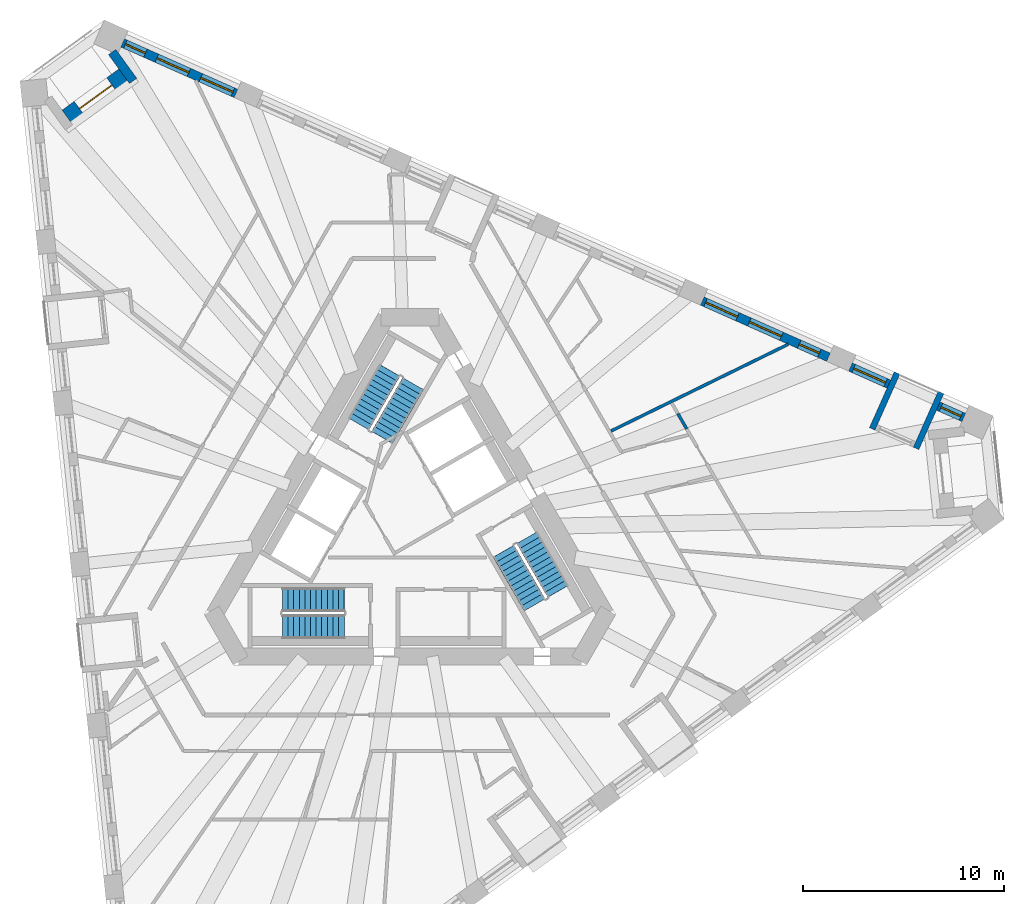
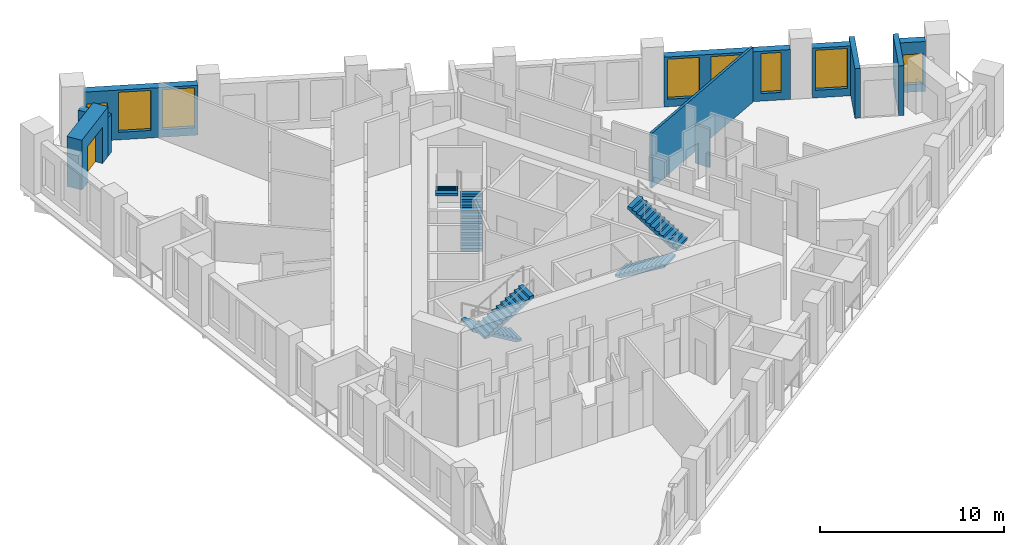
# One storey, part 9 of 14: 10 walls, 8 windows, 6 stair flights, 1 door, 9 openings, 3 elements without a shape of their own.
"""IFC4 building model written with IfcOpenShell, lengths in metres."""

from ifc_helpers import new_model, si_unit, direction, frame, frame_2d, origin, place, context, subcontext, project, spatial, polyline, rectangle, outline, extrude, material, layer, layer_set, type_object, element, fill, aggregate, save


model = new_model("IFC4")

# Units and contexts
model_context = context("Model", 3, precision=1e-05, world=origin(), true_north=direction((0.0, 1.0)))
body_context = subcontext(model_context, "Body", "Model", "MODEL_VIEW")
ifc_project = project(units=[si_unit("LENGTHUNIT", "METRE"), si_unit("AREAUNIT", "SQUARE_METRE"), si_unit("VOLUMEUNIT", "CUBIC_METRE"), si_unit("PLANEANGLEUNIT", "RADIAN"), si_unit("MASSUNIT", "GRAM", prefix="KILO")], contexts=[model_context])

# Site, building, storey
site_placement = place(None, origin())
site = spatial("IfcSite", under=ifc_project, at=site_placement, CompositionType="ELEMENT")
building_placement = place(site_placement, origin())
building = spatial("IfcBuilding", under=site, at=building_placement, Name="Tramontana Tower", CompositionType="ELEMENT")
storey_placement = place(building_placement, frame((0.0, 0.0, 178.800048828125)))
storey = spatial("IfcBuildingStorey", under=building, at=storey_placement, Name="L41", CompositionType="ELEMENT", Elevation=178.800048828125)

# Wall, opening, window
ifc_material_1 = material(Name="Precast concrete 60 MPa", Category="concrete")
ifc_layer_1 = layer(ifc_material_1, 0.449951171875)
ifc_layer_set_1 = layer_set([ifc_layer_1], Name="Precast concrete 60 MPa, 450 mm")
wall_type_1 = type_object("IfcWallType", Name="EW1 Stone-faced precast wall 450", PredefinedType="SOLIDWALL", material=ifc_layer_set_1)
wall_1_placement = place(storey_placement, frame((27.604736328125, 5.57958984375, 0.0), z_axis=(0.0, 0.0, 1.0), x_axis=(-0.913558681389, 0.406706940756, 0.0)))
wall_1 = element("IfcWall", 1, at=wall_1_placement, inside=storey, type_object=wall_type_1, Name="External wall L41 face 2 bay 1", PredefinedType="SOLIDWALL", context=body_context, shape_type="SweptSolid", body=[
    extrude(rectangle(XDim=1.39453125, YDim=0.449951171875, at=frame_2d((0.697265625, 0.0))), origin(), (0.0, 0.0, 1.0), 3.300048828125),
])
opening_1_placement = place(wall_1_placement, frame((0.147216796875, 0.0, 0.5)))
opening_1 = element("IfcOpeningElement", 2, at=opening_1_placement, cuts=wall_1, Name="Opening N2L", PredefinedType="OPENING", context=body_context, shape_type="SweptSolid", body=[
    extrude(rectangle(XDim=1.10009765625, YDim=2.0, at=frame_2d((0.550048828125, 1.0))), frame((0.0, 0.23486328125, 0.0), z_axis=(0.0, -1.0, 0.0), x_axis=(1.0, 0.0, 0.0)), (0.0, 0.0, 1.0), 0.469970703125),
])
ifc_material_2 = material(Name="Aluminum frame, double glazing unit", Category="aluminium")
window_type_1 = type_object("IfcWindowType", Name="N2L Window 1.1 x 2", PartitioningType="SINGLE_PANEL", PredefinedType="WINDOW", material=ifc_material_2)
window_1_placement = place(opening_1_placement, origin())
window_1 = element("IfcWindow", 3, at=window_1_placement, inside=storey, type_object=window_type_1, Name="Window N2L L41 face 2 module 1", OverallHeight=2.0, OverallWidth=1.10009765625, PartitioningType="SINGLE_PANEL", PredefinedType="WINDOW", context=body_context, shape_type="SweptSolid", body=[
    extrude(rectangle(XDim=1.10009765625, YDim=2.0, at=frame_2d((0.550048828125, 1.0))), frame((0.0, 0.030029296875, 0.0), z_axis=(0.0, -1.0, 0.0), x_axis=(1.0, 0.0, 0.0)), (0.0, 0.0, 1.0), 0.06005859375),
])
fill(opening_1, window_1)

wall_2_placement = place(storey_placement, frame((23.86962890625, 7.242431640625, 0.0), z_axis=(0.0, 0.0, 1.0), x_axis=(-0.913513282906, 0.406808901026, 0.0)))
wall_2 = element("IfcWall", 4, at=wall_2_placement, inside=storey, type_object=wall_type_1, Name="External wall L41 face 2 bay 1", PredefinedType="SOLIDWALL", context=body_context, shape_type="SweptSolid", body=[
    extrude(rectangle(XDim=2.094482421875, YDim=0.449951171875, at=frame_2d((1.04736328125, 0.0))), origin(), (0.0, 0.0, 1.0), 3.300048828125),
])
opening_2_placement = place(wall_2_placement, frame((0.172119140625, 0.0, 0.5)))
opening_2 = element("IfcOpeningElement", 5, at=opening_2_placement, cuts=wall_2, Name="Opening M2", PredefinedType="OPENING", context=body_context, shape_type="SweptSolid", body=[
    extrude(rectangle(XDim=1.75, YDim=2.64990234375, at=frame_2d((0.875, 1.324951171875))), frame((0.0, 0.23486328125, 0.0), z_axis=(0.0, -1.0, 0.0), x_axis=(1.0, 0.0, 0.0)), (0.0, 0.0, 1.0), 0.469970703125),
])
ifc_material_3 = material(Name="Aluminum frame, double glazing unit", Category="aluminium")
window_type_2 = type_object("IfcWindowType", Name="M2 Window 1.75 x 2.65", PartitioningType="SINGLE_PANEL", PredefinedType="WINDOW", material=ifc_material_3)
window_2_placement = place(opening_2_placement, origin())
window_2 = element("IfcWindow", 6, at=window_2_placement, inside=storey, type_object=window_type_2, Name="Window M2 L41 face 2 module 3", OverallHeight=2.64990234375, OverallWidth=1.75, PartitioningType="SINGLE_PANEL", PredefinedType="WINDOW", context=body_context, shape_type="SweptSolid", body=[
    extrude(rectangle(XDim=1.75, YDim=2.64990234375, at=frame_2d((0.875, 1.324951171875))), frame((0.0, 0.030029296875, 0.0), z_axis=(0.0, -1.0, 0.0), x_axis=(1.0, 0.0, 0.0)), (0.0, 0.0, 1.0), 0.06005859375),
])
fill(opening_2, window_2)

# Wall, openings, windows
wall_3_placement = place(storey_placement, frame((20.860107421875, 8.58251953125, 0.0), z_axis=(0.0, 0.0, 1.0), x_axis=(-0.913543675585, 0.40674064562, 0.0)))
wall_3 = element("IfcWall", 7, at=wall_3_placement, inside=storey, type_object=wall_type_1, Name="External wall L41 face 2 bay 2", PredefinedType="SOLIDWALL", context=body_context, shape_type="SweptSolid", body=[
    extrude(rectangle(XDim=6.8828125, YDim=0.449951171875, at=frame_2d((3.44140625, 0.0))), origin(), (0.0, 0.0, 1.0), 3.300048828125),
])
opening_3_placement = place(wall_3_placement, frame((0.4970703125, 0.0, 0.5)))
opening_3 = element("IfcOpeningElement", 8, at=opening_3_placement, cuts=wall_3, Name="Opening N2", PredefinedType="OPENING", context=body_context, shape_type="SweptSolid", body=[
    extrude(rectangle(XDim=1.10009765625, YDim=2.64990234375, at=frame_2d((0.550048828125, 1.324951171875))), frame((0.0, 0.23486328125, 0.0), z_axis=(0.0, -1.0, 0.0), x_axis=(1.0, 0.0, 0.0)), (0.0, 0.0, 1.0), 0.469970703125),
])
opening_4_placement = place(wall_3_placement, frame((2.56640625, 0.0, 0.5)))
opening_4 = element("IfcOpeningElement", 9, at=opening_4_placement, cuts=wall_3, Name="Opening M2", PredefinedType="OPENING", context=body_context, shape_type="SweptSolid", body=[
    extrude(rectangle(XDim=1.75, YDim=2.64990234375, at=frame_2d((0.875, 1.324951171875))), frame((0.0, 0.23486328125, 0.0), z_axis=(0.0, -1.0, 0.0), x_axis=(1.0, 0.0, 0.0)), (0.0, 0.0, 1.0), 0.469970703125),
])
opening_5_placement = place(wall_3_placement, frame((4.960693359375, 0.0, 0.5)))
opening_5 = element("IfcOpeningElement", 10, at=opening_5_placement, cuts=wall_3, Name="Opening M2", PredefinedType="OPENING", context=body_context, shape_type="SweptSolid", body=[
    extrude(rectangle(XDim=1.75, YDim=2.64990234375, at=frame_2d((0.875, 1.324951171875))), frame((0.0, 0.23486328125, 0.0), z_axis=(0.0, -1.0, 0.0), x_axis=(1.0, 0.0, 0.0)), (0.0, 0.0, 1.0), 0.469970703125),
])
window_3_placement = place(opening_4_placement, origin())
window_3 = element("IfcWindow", 11, at=window_3_placement, inside=storey, type_object=window_type_2, Name="Window M2 L41 face 2 module 5", OverallHeight=2.64990234375, OverallWidth=1.75, PartitioningType="SINGLE_PANEL", PredefinedType="WINDOW", context=body_context, shape_type="SweptSolid", body=[
    extrude(rectangle(XDim=1.75, YDim=2.64990234375, at=frame_2d((0.875, 1.324951171875))), frame((0.0, 0.030029296875, 0.0), z_axis=(0.0, -1.0, 0.0), x_axis=(1.0, 0.0, 0.0)), (0.0, 0.0, 1.0), 0.06005859375),
])
fill(opening_4, window_3)
window_4_placement = place(opening_5_placement, origin())
window_4 = element("IfcWindow", 12, at=window_4_placement, inside=storey, type_object=window_type_2, Name="Window M2 L41 face 2 module 6", OverallHeight=2.64990234375, OverallWidth=1.75, PartitioningType="SINGLE_PANEL", PredefinedType="WINDOW", context=body_context, shape_type="SweptSolid", body=[
    extrude(rectangle(XDim=1.75, YDim=2.64990234375, at=frame_2d((0.875, 1.324951171875))), frame((0.0, 0.030029296875, 0.0), z_axis=(0.0, -1.0, 0.0), x_axis=(1.0, 0.0, 0.0)), (0.0, 0.0, 1.0), 0.06005859375),
])
fill(opening_5, window_4)
ifc_material_4 = material(Name="Aluminum frame, double glazing unit", Category="aluminium")
window_type_3 = type_object("IfcWindowType", Name="N2 Window 1.1 x 2.65", PartitioningType="SINGLE_PANEL", PredefinedType="WINDOW", material=ifc_material_4)
window_5_placement = place(opening_3_placement, origin())
window_5 = element("IfcWindow", 13, at=window_5_placement, inside=storey, type_object=window_type_3, Name="Window N2 L41 face 2 module 4", OverallHeight=2.64990234375, OverallWidth=1.10009765625, PartitioningType="SINGLE_PANEL", PredefinedType="WINDOW", context=body_context, shape_type="SweptSolid", body=[
    extrude(rectangle(XDim=1.10009765625, YDim=2.64990234375, at=frame_2d((0.550048828125, 1.324951171875))), frame((0.0, 0.030029296875, 0.0), z_axis=(0.0, -1.0, 0.0), x_axis=(1.0, 0.0, 0.0)), (0.0, 0.0, 1.0), 0.06005859375),
])
fill(opening_3, window_5)

wall_4_placement = place(storey_placement, frame((-8.67626953125, 21.73291015625, 0.0), z_axis=(0.0, 0.0, 1.0), x_axis=(-0.913542682641, 0.406742875773, 0.0)))
wall_4 = element("IfcWall", 14, at=wall_4_placement, inside=storey, type_object=wall_type_1, Name="External wall L41 face 2 bay 6", PredefinedType="SOLIDWALL", context=body_context, shape_type="SweptSolid", body=[
    extrude(rectangle(XDim=6.18310546875, YDim=0.449951171875, at=frame_2d((3.091552734375, 0.0))), origin(), (0.0, 0.0, 1.0), 3.300048828125),
])
opening_6_placement = place(wall_4_placement, frame((0.172119140625, 0.0, 0.5)))
opening_6 = element("IfcOpeningElement", 15, at=opening_6_placement, cuts=wall_4, Name="Opening M2", PredefinedType="OPENING", context=body_context, shape_type="SweptSolid", body=[
    extrude(rectangle(XDim=1.75, YDim=2.64990234375, at=frame_2d((0.875, 1.324951171875))), frame((0.0, 0.23486328125, 0.0), z_axis=(0.0, -1.0, 0.0), x_axis=(1.0, 0.0, 0.0)), (0.0, 0.0, 1.0), 0.469970703125),
])
opening_7_placement = place(wall_4_placement, frame((2.56640625, 0.0, 0.5)))
opening_7 = element("IfcOpeningElement", 16, at=opening_7_placement, cuts=wall_4, Name="Opening M2", PredefinedType="OPENING", context=body_context, shape_type="SweptSolid", body=[
    extrude(rectangle(XDim=1.75, YDim=2.64990234375, at=frame_2d((0.875, 1.324951171875))), frame((0.0, 0.23486328125, 0.0), z_axis=(0.0, -1.0, 0.0), x_axis=(1.0, 0.0, 0.0)), (0.0, 0.0, 1.0), 0.469970703125),
])
opening_8_placement = place(wall_4_placement, frame((4.935791015625, 0.0, 0.5)))
opening_8 = element("IfcOpeningElement", 17, at=opening_8_placement, cuts=wall_4, Name="Opening N2L", PredefinedType="OPENING", context=body_context, shape_type="SweptSolid", body=[
    extrude(rectangle(XDim=1.10009765625, YDim=2.0, at=frame_2d((0.550048828125, 1.0))), frame((0.0, 0.23486328125, 0.0), z_axis=(0.0, -1.0, 0.0), x_axis=(1.0, 0.0, 0.0)), (0.0, 0.0, 1.0), 0.469970703125),
])
window_6_placement = place(opening_6_placement, origin())
window_6 = element("IfcWindow", 18, at=window_6_placement, inside=storey, type_object=window_type_2, Name="Window M2 L41 face 2 module 16", OverallHeight=2.64990234375, OverallWidth=1.75, PartitioningType="SINGLE_PANEL", PredefinedType="WINDOW", context=body_context, shape_type="SweptSolid", body=[
    extrude(rectangle(XDim=1.75, YDim=2.64990234375, at=frame_2d((0.875, 1.324951171875))), frame((0.0, 0.030029296875, 0.0), z_axis=(0.0, -1.0, 0.0), x_axis=(1.0, 0.0, 0.0)), (0.0, 0.0, 1.0), 0.06005859375),
])
fill(opening_6, window_6)
window_7_placement = place(opening_7_placement, origin())
window_7 = element("IfcWindow", 19, at=window_7_placement, inside=storey, type_object=window_type_2, Name="Window M2 L41 face 2 module 17", OverallHeight=2.64990234375, OverallWidth=1.75, PartitioningType="SINGLE_PANEL", PredefinedType="WINDOW", context=body_context, shape_type="SweptSolid", body=[
    extrude(rectangle(XDim=1.75, YDim=2.64990234375, at=frame_2d((0.875, 1.324951171875))), frame((0.0, 0.030029296875, 0.0), z_axis=(0.0, -1.0, 0.0), x_axis=(1.0, 0.0, 0.0)), (0.0, 0.0, 1.0), 0.06005859375),
])
fill(opening_7, window_7)
window_8_placement = place(opening_8_placement, origin())
window_8 = element("IfcWindow", 20, at=window_8_placement, inside=storey, type_object=window_type_1, Name="Window N2L L41 face 2 module 18", OverallHeight=2.0, OverallWidth=1.10009765625, PartitioningType="SINGLE_PANEL", PredefinedType="WINDOW", context=body_context, shape_type="SweptSolid", body=[
    extrude(rectangle(XDim=1.10009765625, YDim=2.0, at=frame_2d((0.550048828125, 1.0))), frame((0.0, 0.030029296875, 0.0), z_axis=(0.0, -1.0, 0.0), x_axis=(1.0, 0.0, 0.0)), (0.0, 0.0, 1.0), 0.06005859375),
])
fill(opening_8, window_8)

# Wall
wall_5_placement = place(storey_placement, frame((-14.847900390625, 23.796630859375, 0.0), z_axis=(0.0, 0.0, 1.0), x_axis=(0.587722853316, -0.809062326209, 0.0)))
element("IfcWall", 21, at=wall_5_placement, inside=storey, type_object=wall_type_1, Name="Corner loggia side wall L41 K40r", PredefinedType="SOLIDWALL", context=body_context, shape_type="SweptSolid", body=[
    extrude(rectangle(XDim=1.779052734375, YDim=0.449951171875, at=frame_2d((0.8896484375, 0.0))), origin(), (0.0, 0.0, 1.0), 2.550048828125),
])

# Wall, opening, door
ifc_material_5 = material(Name="Precast concrete 60 MPa", Category="concrete")
ifc_layer_2 = layer(ifc_material_5, 0.89990234375)
ifc_layer_set_2 = layer_set([ifc_layer_2], Name="EW2 Stone-faced corner loggia wall 900")
wall_type_2 = type_object("IfcWallType", Name="EW2 Stone-faced corner loggia wall 900", PredefinedType="SOLIDWALL", material=ifc_layer_set_2)
wall_6_placement = place(storey_placement, frame((-17.080322265625, 20.53173828125, 0.0), z_axis=(0.0, 0.0, 1.0), x_axis=(0.809031597325, 0.587765152531, 0.0)))
wall_6 = element("IfcWall", 22, at=wall_6_placement, inside=storey, type_object=wall_type_2, Name="Corner loggia wall L41 K40", PredefinedType="SOLIDWALL", context=body_context, shape_type="SweptSolid", body=[
    extrude(rectangle(XDim=3.5, YDim=0.89990234375, at=frame_2d((1.75, 0.0))), origin(), (0.0, 0.0, 1.0), 3.300048828125),
])
opening_9_placement = place(wall_6_placement, frame((0.75, 0.0, 0.0)))
opening_9 = element("IfcOpeningElement", 23, at=opening_9_placement, cuts=wall_6, Name="Opening BD-40C", PredefinedType="OPENING", context=body_context, shape_type="SweptSolid", body=[
    extrude(rectangle(XDim=2.0, YDim=2.39990234375, at=frame_2d((1.0, 1.199951171875))), frame((0.0, 0.4599609375, 0.0), z_axis=(0.0, -1.0, 0.0), x_axis=(1.0, 0.0, 0.0)), (0.0, 0.0, 1.0), 0.919921875),
])
ifc_material_6 = material(Name="Aluminum frame, double glazing unit", Category="aluminium")
door_type = type_object("IfcDoorType", Name="BC1 Sliding door 2 x 2.4", OperationType="SLIDING_TO_LEFT", PredefinedType="DOOR", material=ifc_material_6)
door_placement = place(opening_9_placement, origin())
door = element("IfcDoor", 24, at=door_placement, inside=storey, type_object=door_type, Name="Corner loggia door L41 K40", OperationType="SLIDING_TO_LEFT", OverallHeight=2.39990234375, OverallWidth=2.0, PredefinedType="DOOR", context=body_context, shape_type="SweptSolid", body=[
    extrude(rectangle(XDim=2.0, YDim=2.39990234375, at=frame_2d((1.0, 1.199951171875))), frame((0.0, 0.02490234375, 0.0), z_axis=(0.0, -1.0, 0.0), x_axis=(1.0, 0.0, 0.0)), (0.0, 0.0, 1.0), 0.050048828125),
])
fill(opening_9, door)

# Walls
ifc_material_7 = material(Name="Precast concrete 60 MPa", Category="concrete")
ifc_layer_3 = layer(ifc_material_7, 0.300048828125)
ifc_layer_set_3 = layer_set([ifc_layer_3], Name="LW1 Stone-faced loggia wall 300")
wall_type_3 = type_object("IfcWallType", Name="LW1 Stone-faced loggia wall 300", PredefinedType="SOLIDWALL", material=ifc_layer_set_3)
for number, where, z_axis, x_axis, name in (
    (25, (26.468505859375, 6.82421875, 0.0), (0.0, 0.0, 1.0), (-0.406806804169, -0.913514216683, 0.0), "Loggia return L41 G4S2.1a"),
    (26, (24.281005859375, 7.798095703125, 0.0), (0.0, 0.0, 1.0), (-0.406739999721, -0.91354396316, 0.0), "Loggia return L41 G4S2.1b"),
):
    element("IfcWall", number, at=place(storey_placement, frame(where, z_axis=z_axis, x_axis=x_axis)), inside=storey, type_object=wall_type_3, Name=name, PredefinedType="SOLIDWALL", context=body_context, shape_type="SweptSolid", body=[
        extrude(rectangle(XDim=3.0498046875, YDim=0.300048828125, at=frame_2d((1.52490234375, 0.0))), origin(), (0.0, 0.0, 1.0), 3.300048828125),
    ])
ifc_material_8 = material(Name="Gypsum board partition")
ifc_layer_4 = layer(ifc_material_8, 0.14990234375)
ifc_layer_set_4 = layer_set([ifc_layer_4], Name="PARTITION 150")
wall_type_4 = type_object("IfcWallType", Name="PARTITION 150", PredefinedType="PARTITIONING", material=ifc_layer_set_4)
wall_7_placement = place(storey_placement, frame((10.015869140625, 4.902099609375, 0.0), z_axis=(0.0, 0.0, 1.0), x_axis=(0.898175873885, 0.439636326492, 0.0)))
element("IfcWall", 27, at=wall_7_placement, inside=storey, type_object=wall_type_4, Name="Wall v41-pw41", PredefinedType="PARTITIONING", context=body_context, shape_type="SweptSolid", body=[
    extrude(rectangle(XDim=9.841552734375, YDim=0.14990234375, at=frame_2d((4.9208984375, 0.0))), origin(), (0.0, 0.0, 1.0), 3.64990234375),
])
wall_8_placement = place(storey_placement, frame((13.3505859375, 5.7763671875, 0.0), z_axis=(0.0, 0.0, 1.0), x_axis=(0.499969398072, -0.866043071095, 0.0)))
element("IfcWall", 28, at=wall_8_placement, inside=storey, type_object=wall_type_4, Name="Wall v41-pw44-1", PredefinedType="PARTITIONING", context=body_context, shape_type="SweptSolid", body=[
    extrude(rectangle(XDim=0.88427734375, YDim=0.14990234375, at=frame_2d((0.442138671875, 0.0))), origin(), (0.0, 0.0, 1.0), 2.550048828125),
])

# Stair, stair flights
ifc_material_9 = material(Name="Concrete 40 MPa", Category="concrete")
stair_type = type_object("IfcStairType", Name="EXIT STAIR 24 RISERS", PredefinedType="HALF_TURN_STAIR", material=ifc_material_9)
stair_1_placement = place(storey_placement, origin())
stair_1 = element("IfcStair", 29, at=stair_1_placement, inside=storey, type_object=stair_type, Name="L41 Exit stair ST1", PredefinedType="HALF_TURN_STAIR")
ifc_material_10 = material(Name="Concrete 40 MPa", Category="concrete")
ifc_layer_5 = layer(ifc_material_10, 0.14990234375)
ifc_layer_set_5 = layer_set([ifc_layer_5], Name="EXIT STAIR FLIGHT")
stair_flight_type = type_object("IfcStairFlightType", Name="EXIT STAIR FLIGHT", PredefinedType="STRAIGHT", material=ifc_layer_set_5)
stair_flight_1_placement = place(storey_placement, frame((-1.39111328125, 4.590576171875, 0.0), z_axis=(0.0, 0.0, 1.0), x_axis=(0.5, 0.866025403784, 0.0)))
stair_flight_1 = element("IfcStairFlight", 30, at=stair_flight_1_placement, type_object=stair_flight_type, Name="ST1 flight 1", NumberOfRisers=12, NumberOfTreads=11, PredefinedType="STRAIGHT", RiserHeight=0.166666667, TreadLength=0.28, context=body_context, shape_type="SweptSolid", body=[
    extrude(outline(polyline([(-0.006103515625, 0.0), (-0.006103515625, 0.0400390625), (0.0, 0.0400390625), (0.0, 0.166748046875), (0.280029296875, 0.166748046875), (0.280029296875, 0.333251953125), (0.56005859375, 0.333251953125), (0.56005859375, 0.5), (0.840087890625, 0.5), (0.840087890625, 0.666748046875), (1.1201171875, 0.666748046875), (1.1201171875, 0.833251953125), (1.39990234375, 0.833251953125), (1.39990234375, 1.0), (1.679931640625, 1.0), (1.679931640625, 1.166748046875), (1.9599609375, 1.166748046875), (1.9599609375, 1.333251953125), (2.239990234375, 1.333251953125), (2.239990234375, 1.5), (2.52001953125, 1.5), (2.52001953125, 1.666748046875), (2.800048828125, 1.666748046875), (2.800048828125, 1.833251953125), (3.080078125, 1.833251953125), (3.0859375, 1.833251953125), (3.0859375, 1.658935546875), (0.299072265625, 0.0), (-0.006103515625, 0.0)])), frame((0.0, 0.60009765625, 0.0), z_axis=(0.0, -1.0, 0.0), x_axis=(1.0, 0.0, 0.0)), (0.0, 0.0, 1.0), 1.199951171875),
])
stair_flight_2_placement = place(storey_placement, frame((-1.020263671875, 7.932861328125, 2.0), z_axis=(0.0, 0.0, 1.0), x_axis=(-0.5, -0.866025403784, 0.0)))
stair_flight_2 = element("IfcStairFlight", 31, at=stair_flight_2_placement, type_object=stair_flight_type, Name="ST1 flight 2", NumberOfRisers=12, NumberOfTreads=11, PredefinedType="STRAIGHT", RiserHeight=0.166666667, TreadLength=0.28, context=body_context, shape_type="SweptSolid", body=[
    extrude(outline(polyline([(-0.006103515625, 0.0), (-0.006103515625, 0.0400390625), (0.0, 0.0400390625), (0.0, 0.166748046875), (0.280029296875, 0.166748046875), (0.280029296875, 0.333251953125), (0.56005859375, 0.333251953125), (0.56005859375, 0.5), (0.840087890625, 0.5), (0.840087890625, 0.666748046875), (1.1201171875, 0.666748046875), (1.1201171875, 0.833251953125), (1.39990234375, 0.833251953125), (1.39990234375, 1.0), (1.679931640625, 1.0), (1.679931640625, 1.166748046875), (1.9599609375, 1.166748046875), (1.9599609375, 1.333251953125), (2.239990234375, 1.333251953125), (2.239990234375, 1.5), (2.52001953125, 1.5), (2.52001953125, 1.666748046875), (2.800048828125, 1.666748046875), (2.800048828125, 1.833251953125), (3.080078125, 1.833251953125), (3.0859375, 1.833251953125), (3.0859375, 1.658935546875), (0.299072265625, 0.0), (-0.006103515625, 0.0)])), frame((0.0, 0.60009765625, 0.0), z_axis=(0.0, -1.0, 0.0), x_axis=(1.0, 0.0, 0.0)), (0.0, 0.0, 1.0), 1.199951171875),
])
aggregate(stair_1, [stair_flight_1, stair_flight_2])

stair_2_placement = place(storey_placement, origin())
stair_2 = element("IfcStair", 32, at=stair_2_placement, inside=storey, type_object=stair_type, Name="L41 Exit stair ST2", PredefinedType="HALF_TURN_STAIR")
stair_flight_3_placement = place(storey_placement, frame((-3.280029296875, -3.5, 0.0), z_axis=(0.0, 0.0, 1.0), x_axis=(-1.0, 0.0, 0.0)))
stair_flight_3 = element("IfcStairFlight", 33, at=stair_flight_3_placement, type_object=stair_flight_type, Name="ST2 flight 1", NumberOfRisers=12, NumberOfTreads=11, PredefinedType="STRAIGHT", RiserHeight=0.166666667, TreadLength=0.28, context=body_context, shape_type="SweptSolid", body=[
    extrude(outline(polyline([(-0.006103515625, 0.0), (-0.006103515625, 0.0400390625), (0.0, 0.0400390625), (0.0, 0.166748046875), (0.280029296875, 0.166748046875), (0.280029296875, 0.333251953125), (0.56005859375, 0.333251953125), (0.56005859375, 0.5), (0.840087890625, 0.5), (0.840087890625, 0.666748046875), (1.1201171875, 0.666748046875), (1.1201171875, 0.833251953125), (1.39990234375, 0.833251953125), (1.39990234375, 1.0), (1.679931640625, 1.0), (1.679931640625, 1.166748046875), (1.9599609375, 1.166748046875), (1.9599609375, 1.333251953125), (2.239990234375, 1.333251953125), (2.239990234375, 1.5), (2.52001953125, 1.5), (2.52001953125, 1.666748046875), (2.800048828125, 1.666748046875), (2.800048828125, 1.833251953125), (3.080078125, 1.833251953125), (3.0859375, 1.833251953125), (3.0859375, 1.658935546875), (0.299072265625, 0.0), (-0.006103515625, 0.0)])), frame((0.0, 0.60009765625, 0.0), z_axis=(0.0, -1.0, 0.0), x_axis=(1.0, 0.0, 0.0)), (0.0, 0.0, 1.0), 1.199951171875),
])
stair_flight_4_placement = place(storey_placement, frame((-6.360107421875, -4.85009765625, 2.0), z_axis=(0.0, 0.0, 1.0), x_axis=(1.0, 0.0, 0.0)))
stair_flight_4 = element("IfcStairFlight", 34, at=stair_flight_4_placement, type_object=stair_flight_type, Name="ST2 flight 2", NumberOfRisers=12, NumberOfTreads=11, PredefinedType="STRAIGHT", RiserHeight=0.166666667, TreadLength=0.28, context=body_context, shape_type="SweptSolid", body=[
    extrude(outline(polyline([(-0.006103515625, 0.0), (-0.006103515625, 0.0400390625), (0.0, 0.0400390625), (0.0, 0.166748046875), (0.280029296875, 0.166748046875), (0.280029296875, 0.333251953125), (0.56005859375, 0.333251953125), (0.56005859375, 0.5), (0.840087890625, 0.5), (0.840087890625, 0.666748046875), (1.1201171875, 0.666748046875), (1.1201171875, 0.833251953125), (1.39990234375, 0.833251953125), (1.39990234375, 1.0), (1.679931640625, 1.0), (1.679931640625, 1.166748046875), (1.9599609375, 1.166748046875), (1.9599609375, 1.333251953125), (2.239990234375, 1.333251953125), (2.239990234375, 1.5), (2.52001953125, 1.5), (2.52001953125, 1.666748046875), (2.800048828125, 1.666748046875), (2.800048828125, 1.833251953125), (3.080078125, 1.833251953125), (3.0859375, 1.833251953125), (3.0859375, 1.658935546875), (0.299072265625, 0.0), (-0.006103515625, 0.0)])), frame((0.0, 0.60009765625, 0.0), z_axis=(0.0, -1.0, 0.0), x_axis=(1.0, 0.0, 0.0)), (0.0, 0.0, 1.0), 1.199951171875),
])
aggregate(stair_2, [stair_flight_3, stair_flight_4])

stair_3_placement = place(storey_placement, origin())
stair_3 = element("IfcStair", 35, at=stair_3_placement, inside=storey, type_object=stair_type, Name="L41 Exit stair ST3", PredefinedType="HALF_TURN_STAIR")
stair_flight_5_placement = place(storey_placement, frame((4.671142578125, -1.090576171875, 0.0), z_axis=(0.0, 0.0, 1.0), x_axis=(0.5, -0.866025403784, 0.0)))
stair_flight_5 = element("IfcStairFlight", 36, at=stair_flight_5_placement, type_object=stair_flight_type, Name="ST3 flight 1", NumberOfRisers=12, NumberOfTreads=11, PredefinedType="STRAIGHT", RiserHeight=0.166666667, TreadLength=0.28, context=body_context, shape_type="SweptSolid", body=[
    extrude(outline(polyline([(-0.006103515625, 0.0), (-0.006103515625, 0.0400390625), (0.0, 0.0400390625), (0.0, 0.166748046875), (0.280029296875, 0.166748046875), (0.280029296875, 0.333251953125), (0.56005859375, 0.333251953125), (0.56005859375, 0.5), (0.840087890625, 0.5), (0.840087890625, 0.666748046875), (1.1201171875, 0.666748046875), (1.1201171875, 0.833251953125), (1.39990234375, 0.833251953125), (1.39990234375, 1.0), (1.679931640625, 1.0), (1.679931640625, 1.166748046875), (1.9599609375, 1.166748046875), (1.9599609375, 1.333251953125), (2.239990234375, 1.333251953125), (2.239990234375, 1.5), (2.52001953125, 1.5), (2.52001953125, 1.666748046875), (2.800048828125, 1.666748046875), (2.800048828125, 1.833251953125), (3.080078125, 1.833251953125), (3.0859375, 1.833251953125), (3.0859375, 1.658935546875), (0.299072265625, 0.0), (-0.006103515625, 0.0)])), frame((0.0, 0.60009765625, 0.0), z_axis=(0.0, -1.0, 0.0), x_axis=(1.0, 0.0, 0.0)), (0.0, 0.0, 1.0), 1.199951171875),
])
stair_flight_6_placement = place(storey_placement, frame((7.380126953125, -3.0830078125, 2.0), z_axis=(0.0, 0.0, 1.0), x_axis=(-0.5, 0.866025403784, 0.0)))
stair_flight_6 = element("IfcStairFlight", 37, at=stair_flight_6_placement, type_object=stair_flight_type, Name="ST3 flight 2", NumberOfRisers=12, NumberOfTreads=11, PredefinedType="STRAIGHT", RiserHeight=0.166666667, TreadLength=0.28, context=body_context, shape_type="SweptSolid", body=[
    extrude(outline(polyline([(-0.006103515625, 0.0), (-0.006103515625, 0.0400390625), (0.0, 0.0400390625), (0.0, 0.166748046875), (0.280029296875, 0.166748046875), (0.280029296875, 0.333251953125), (0.56005859375, 0.333251953125), (0.56005859375, 0.5), (0.840087890625, 0.5), (0.840087890625, 0.666748046875), (1.1201171875, 0.666748046875), (1.1201171875, 0.833251953125), (1.39990234375, 0.833251953125), (1.39990234375, 1.0), (1.679931640625, 1.0), (1.679931640625, 1.166748046875), (1.9599609375, 1.166748046875), (1.9599609375, 1.333251953125), (2.239990234375, 1.333251953125), (2.239990234375, 1.5), (2.52001953125, 1.5), (2.52001953125, 1.666748046875), (2.800048828125, 1.666748046875), (2.800048828125, 1.833251953125), (3.080078125, 1.833251953125), (3.0859375, 1.833251953125), (3.0859375, 1.658935546875), (0.299072265625, 0.0), (-0.006103515625, 0.0)])), frame((0.0, 0.60009765625, 0.0), z_axis=(0.0, -1.0, 0.0), x_axis=(1.0, 0.0, 0.0)), (0.0, 0.0, 1.0), 1.199951171875),
])
aggregate(stair_3, [stair_flight_5, stair_flight_6])

save(model, "model.ifc")
